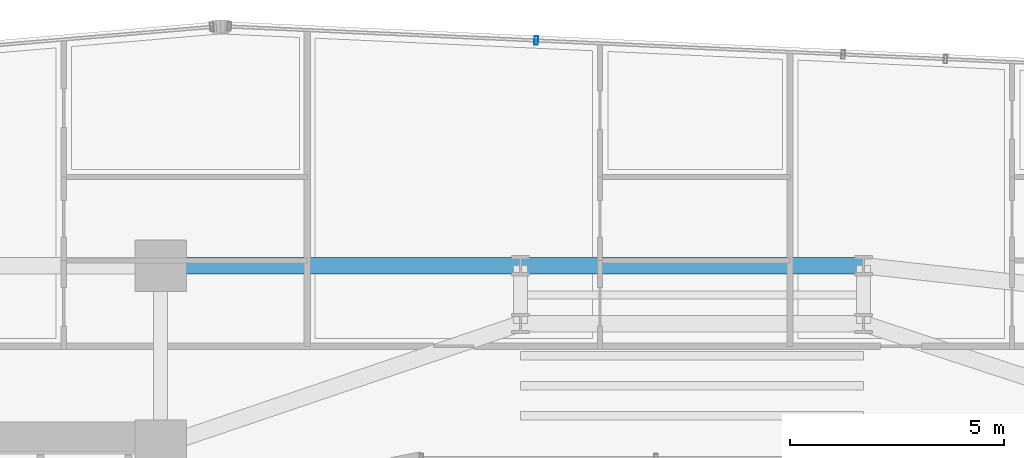
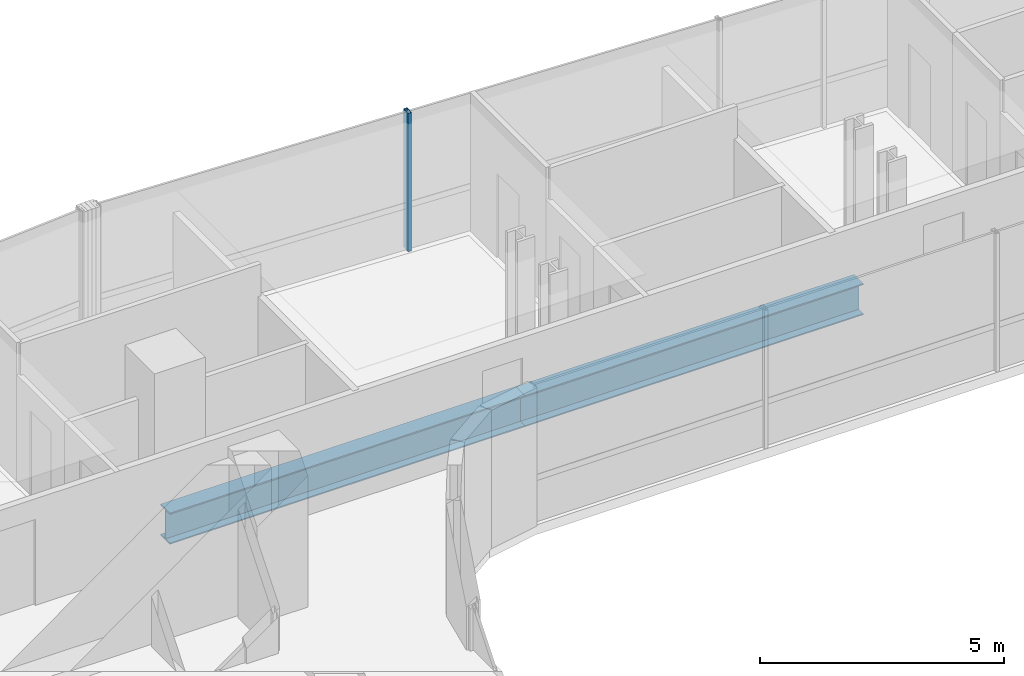
# One storey, part 22 of 38: 2 beams, 1 member, 1 element without a shape of its own.
"""IFC4 building model written with IfcOpenShell, lengths in metres."""

from ifc_helpers import new_model, si_unit, direction, frame, origin, origin_2d, place, context, subcontext, project, spatial, hollow_rectangle, i_section, extrude, source, transform, mapped, material, material_profile, profile_set, type_object, element, aggregate, save


model = new_model("IFC4")

# Units and contexts
model_context = context("Model", 3, precision=1e-05, world=origin(), true_north=direction((0.0, 1.0)))
body_context = subcontext(model_context, "Body", "Model", "MODEL_VIEW")
ifc_project = project(units=[si_unit("LENGTHUNIT", "METRE"), si_unit("AREAUNIT", "SQUARE_METRE"), si_unit("VOLUMEUNIT", "CUBIC_METRE"), si_unit("PLANEANGLEUNIT", "RADIAN"), si_unit("MASSUNIT", "GRAM", prefix="KILO")], contexts=[model_context])

# Site, building, storey
site_placement = place(None, origin())
site = spatial("IfcSite", under=ifc_project, at=site_placement, CompositionType="ELEMENT")
building_placement = place(site_placement, origin())
building = spatial("IfcBuilding", under=site, at=building_placement, Name="Valdorenza Pilgrim Sanctuary Tower", CompositionType="ELEMENT")
storey_placement = place(building_placement, frame((0.0, 0.0, 131.60009765625)))
storey = spatial("IfcBuildingStorey", under=building, at=storey_placement, Name="L33", CompositionType="ELEMENT", Elevation=131.60009765625)

# Beams
ifc_material_1 = material(Name="Steel ASTM A992 Grade 50", Category="steel")
ifc_material_profile_1 = material_profile(ifc_material_1, i_section(OverallWidth=0.382080078125, OverallDepth=0.779052734375, WebThickness=0.01806640625, FlangeThickness=0.030029296875, at=origin_2d()), Name="W30X191")
ifc_profile_set_1 = profile_set([ifc_material_profile_1], Name="Steel ASTM A992 Grade 50")
beam_type = type_object("IfcBeamType", Name="STR-BM-GRD-W30", PredefinedType="BEAM", material=ifc_profile_set_1)
shared_shape_1 = source(origin(), body_context, "Body", "SweptSolid", [
    extrude(i_section(OverallWidth=0.382080078125, OverallDepth=0.779052734375, WebThickness=0.01806640625, FlangeThickness=0.030029296875, at=origin_2d()), origin(), (0.0, 0.0, 1.0), 8.0),
])
beam_1_placement = place(storey_placement, frame((-4.0, 14.800048828125, -0.629638671875), z_axis=(1.0, 0.0, 0.0), x_axis=(0.0, 1.0, 0.0)))
element("IfcBeam", 1, at=beam_1_placement, inside=storey, type_object=beam_type, Name="L33 Floor Girder KNK-G5", PredefinedType="BEAM", context=body_context, shape_type="MappedRepresentation", body=[
    mapped(shared_shape_1, transform((0.0, 0.0, 0.0), x_axis=(1.0, 0.0, 0.0), y_axis=(0.0, 1.0, 0.0), z_axis=(0.0, 0.0, 1.0), scale=1.0)),
])
shared_shape_2 = source(origin(), body_context, "Body", "SweptSolid", [
    extrude(i_section(OverallWidth=0.382080078125, OverallDepth=0.779052734375, WebThickness=0.01806640625, FlangeThickness=0.030029296875, at=origin_2d()), origin(), (0.0, 0.0, 1.0), 8.39990234375),
])
beam_2_placement = place(storey_placement, frame((-12.39990234375, 14.800048828125, -0.629638671875), z_axis=(1.0, 0.0, 0.0), x_axis=(0.0, 1.0, 0.0)))
element("IfcBeam", 2, at=beam_2_placement, inside=storey, type_object=beam_type, Name="L33 Floor Girder KNK-G4", PredefinedType="BEAM", context=body_context, shape_type="MappedRepresentation", body=[
    mapped(shared_shape_2, transform((0.0, 0.0, 0.0), x_axis=(1.0, 0.0, 0.0), y_axis=(0.0, 1.0, 0.0), z_axis=(0.0, 0.0, 1.0), scale=1.0)),
])

# Curtain wall, member
ifc_material_2 = material(Name="Curtain-wall IGU glazing", Category="glass")
curtain_wall_type = type_object("IfcCurtainWallType", Name="CW-SYS-02", PredefinedType="NOTDEFINED", material=ifc_material_2)
curtain_wall_placement = place(storey_placement, origin())
curtain_wall = element("IfcCurtainWall", 3, at=curtain_wall_placement, inside=storey, type_object=curtain_wall_type, Name="L33 Curtain Wall CW-L33-1-11", PredefinedType="NOTDEFINED")
ifc_material_3 = material(Name="Anodised aluminium AW-6060", Category="aluminium")
ifc_material_profile_2 = material_profile(ifc_material_3, hollow_rectangle(XDim=0.0849609375, YDim=0.199951171875, WallThickness=0.0048828125, at=origin_2d()), Name="ALU-M 200x85x5")
ifc_profile_set_2 = profile_set([ifc_material_profile_2], Name="Anodised aluminium AW-6060")
member_type = type_object("IfcMemberType", Name="CW-MUL-02", PredefinedType="MULLION", material=ifc_profile_set_2)
shared_shape_3 = source(origin(), body_context, "Body", "SweptSolid", [
    extrude(hollow_rectangle(XDim=0.0849609375, YDim=0.199951171875, WallThickness=0.0048828125, at=origin_2d()), origin(), (0.0, 0.0, 1.0), 3.4599609375),
])
member_placement = place(storey_placement, frame((-3.6337890625, 20.05517578125, 0.0), z_axis=(0.0, 0.0, 1.0), x_axis=(0.998968193221, -0.045415294044, 0.0)))
member = element("IfcMember", 4, at=member_placement, type_object=member_type, Name="CW-L33-1-11 Mullion 2", PredefinedType="MULLION", context=body_context, shape_type="MappedRepresentation", body=[
    mapped(shared_shape_3, transform((0.0, 0.0, 0.0), x_axis=(1.0, 0.0, 0.0), y_axis=(0.0, 1.0, 0.0), z_axis=(0.0, 0.0, 1.0), scale=1.0)),
])
aggregate(curtain_wall, [member])

save(model, "model.ifc")
